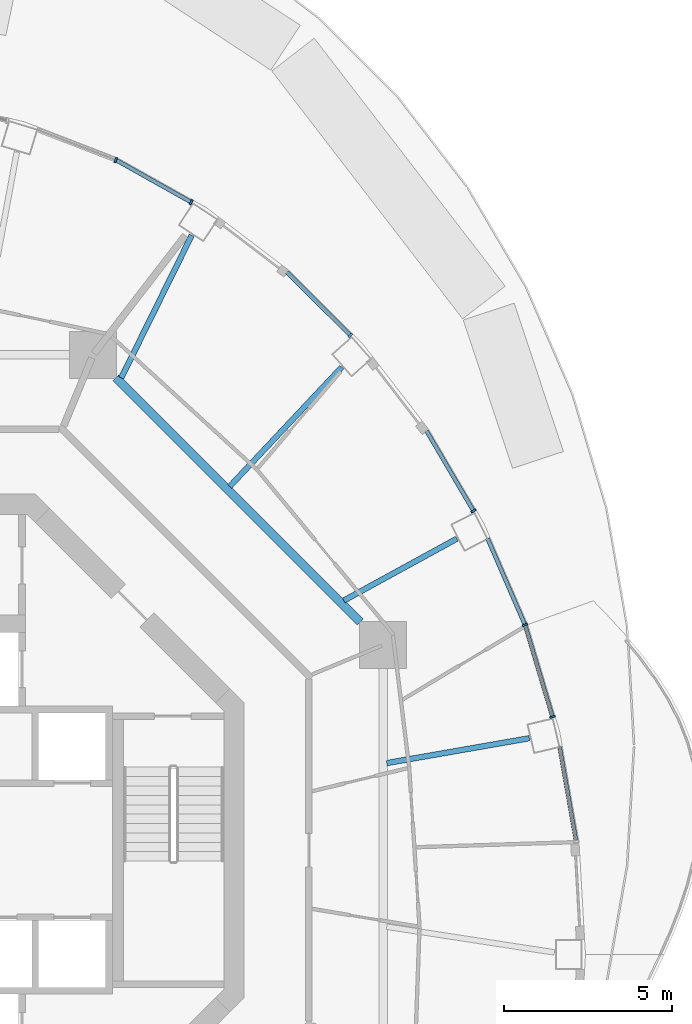
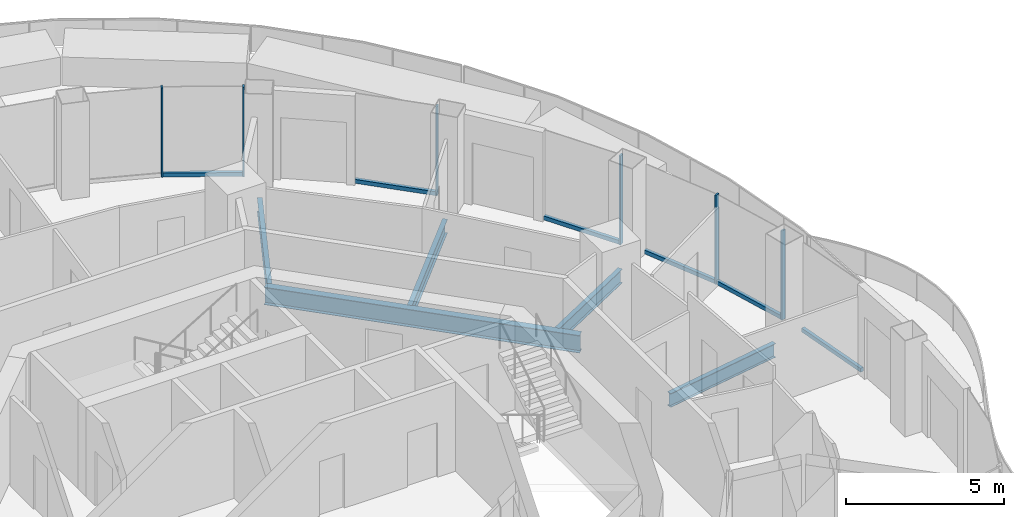
# One storey, part 7 of 17: 12 members, 5 beams, 7 elements without a shape of their own.
"""IFC4 building model written with IfcOpenShell, lengths in metres."""

import ifcopenshell
import ifcopenshell.guid

model = None  # the IFC model being written
_history = None  # IfcOwnerHistory: only IFC2X3 demands one
_inside = {}  # id of a spatial element -> (the spatial element, [elements in it])
_under = {}  # id of a project, library or spatial element -> (it, [spatial elements below it])
_declared = {}  # id of a project -> (the project, [libraries it declares])
_typed = {}  # id of a type object -> (the type object, [elements of that type])
_made_of = {}  # id of a material, layer set ... -> (it, [elements and type objects made of it])


def new_model(schema):
    """Start an empty IFC model of exactly this schema.

    Asked for "IFC4X3", IfcOpenShell would pick the latest addendum, in which some entities
    have other attributes; the version numbers below select the first issue.
    IFC2X3 requires an IfcOwnerHistory on every rooted entity: one is made here for all.
    """
    global model, _history
    if schema == "IFC4X3":
        model = ifcopenshell.file(schema_version=(4, 3, 0, 0))
    else:
        model = ifcopenshell.file(schema=schema)
    _inside.clear()
    _under.clear()
    _declared.clear()
    _typed.clear()
    _made_of.clear()
    _history = None
    if model.schema == "IFC2X3":
        org = make("IfcOrganization", Name="unknown")
        user = make(
            "IfcPersonAndOrganization",
            ThePerson=make("IfcPerson", FamilyName="unknown"),
            TheOrganization=org,
        )
        app = make(
            "IfcApplication",
            ApplicationDeveloper=org,
            Version="unknown",
            ApplicationFullName="unknown",
            ApplicationIdentifier="unknown",
        )
        _history = make(
            "IfcOwnerHistory",
            OwningUser=user,
            OwningApplication=app,
            ChangeAction="ADDED",
            CreationDate=0,
        )
    return model


def make(cls, **values):
    """One entity of the class cls with the attributes given. An attribute that is None is left unset."""
    return model.create_entity(
        cls, **{name: value for name, value in values.items() if value is not None}
    )


def rooted(cls, **values):
    """An entity with a GlobalId (a new one), such as an element, a storey or a relation."""
    return make(cls, GlobalId=ifcopenshell.guid.new(), OwnerHistory=_history, **values)


def si_unit(unit_type, name, prefix=None):
    """IfcSIUnit, for example si_unit("LENGTHUNIT", "METRE", prefix="MILLI")."""
    return make("IfcSIUnit", UnitType=unit_type, Prefix=prefix, Name=name)


def assignment(units):
    """IfcUnitAssignment: the units of a project."""
    return None if units is None else make("IfcUnitAssignment", Units=units)


def point(xyz):
    """IfcCartesianPoint."""
    return None if xyz is None else make("IfcCartesianPoint", Coordinates=xyz)


def direction(xyz):
    """IfcDirection."""
    return None if xyz is None else make("IfcDirection", DirectionRatios=xyz)


def frame(location, z_axis=None, x_axis=None):
    """IfcAxis2Placement3D, a coordinate frame: its origin and axes. An axis left out is left unset."""
    return make(
        "IfcAxis2Placement3D",
        Location=point(location),
        Axis=direction(z_axis),
        RefDirection=direction(x_axis),
    )


def frame_2d(location, x_axis=None):
    """IfcAxis2Placement2D, a coordinate frame in the plane: its origin and x axis."""
    return make(
        "IfcAxis2Placement2D", Location=point(location), RefDirection=direction(x_axis)
    )


def origin():
    """The frame at (0, 0, 0) with its axes left unset."""
    return frame((0.0, 0.0, 0.0))


def origin_2d():
    """The frame at (0, 0) in the plane with its x axis left unset."""
    return frame_2d((0.0, 0.0))


def place(relative_to, where):
    """IfcLocalPlacement: puts the frame where relative to a parent placement (None: the world)."""
    return make(
        "IfcLocalPlacement", PlacementRelTo=relative_to, RelativePlacement=where
    )


def context(
    kind, dimensions, precision=None, world=None, true_north=None, identifier=None
):
    """IfcGeometricRepresentationContext, for example the 3D "Model" context."""
    return make(
        "IfcGeometricRepresentationContext",
        ContextIdentifier=identifier,
        ContextType=kind,
        CoordinateSpaceDimension=dimensions,
        Precision=precision,
        WorldCoordinateSystem=world,
        TrueNorth=true_north,
    )


def subcontext(parent, identifier, kind, view, scale=None):
    """IfcGeometricRepresentationSubContext, for example "Body" below "Model"."""
    return make(
        "IfcGeometricRepresentationSubContext",
        ContextIdentifier=identifier,
        ContextType=kind,
        ParentContext=parent,
        TargetScale=scale,
        TargetView=view,
    )


def project(units=None, contexts=None):
    """IfcProject with its units and contexts."""
    return rooted(
        "IfcProject",
        Name="project",
        RepresentationContexts=contexts,
        UnitsInContext=assignment(units),
    )


def spatial(cls, under=None, at=None, **own):
    """A site, building, storey or space (cls), placed at a placement, below another one or the project."""
    s = rooted(cls, ObjectPlacement=at, **own)
    if under is not None:
        _under.setdefault(under.id(), (under, []))[1].append(s)
    return s


def profile(cls, at=None, kind="AREA", **sizes):
    """A parametric profile (cls). Its sizes go by their IFC names, for example OverallWidth=200.0."""
    return make(cls, ProfileType=kind, Position=at, **sizes)


def rectangle(**sizes):
    """IfcRectangleProfileDef."""
    return profile("IfcRectangleProfileDef", **sizes)


def i_section(**sizes):
    """IfcIShapeProfileDef."""
    return profile("IfcIShapeProfileDef", **sizes)


def extrude(swept, where, along, depth):
    """IfcExtrudedAreaSolid: the profile swept, set in the frame where, extruded along a direction by depth."""
    return make(
        "IfcExtrudedAreaSolid",
        SweptArea=swept,
        Position=where,
        ExtrudedDirection=direction(along),
        Depth=depth,
    )


def shape(context_of_items, identifier, shape_type, items):
    """IfcShapeRepresentation: the items that make up one representation, for example the "Body"."""
    return make(
        "IfcShapeRepresentation",
        ContextOfItems=context_of_items,
        RepresentationIdentifier=identifier,
        RepresentationType=shape_type,
        Items=items,
    )


def material(Name=None, Category=None):
    """IfcMaterial."""
    return make("IfcMaterial", Name=Name, Category=Category)


def layer(
    of_material, thickness, ventilated=None, Name=None, Category=None, Priority=None
):
    """IfcMaterialLayer: one layer of a wall or slab, of a material (None: an air gap)."""
    return make(
        "IfcMaterialLayer",
        Material=of_material,
        LayerThickness=thickness,
        IsVentilated=ventilated,
        Name=Name,
        Category=Category,
        Priority=Priority,
    )


def layer_set(layers, Name=None):
    """IfcMaterialLayerSet."""
    return make("IfcMaterialLayerSet", MaterialLayers=layers, LayerSetName=Name)


def material_profile(
    of_material, cross_section, Name=None, Category=None, Priority=None
):
    """IfcMaterialProfile: a cross section and its material."""
    return make(
        "IfcMaterialProfile",
        Name=Name,
        Material=of_material,
        Profile=cross_section,
        Priority=Priority,
        Category=Category,
    )


def profile_set(profiles, Name=None, composite=None):
    """IfcMaterialProfileSet."""
    return make(
        "IfcMaterialProfileSet",
        Name=Name,
        MaterialProfiles=profiles,
        CompositeProfile=composite,
    )


def made_of(thing, what):
    """Note that an element or type object is made of a material, layer set ...; save() writes the relation."""
    if what is not None:
        _made_of.setdefault(what.id(), (what, []))[1].append(thing)
    return thing


def type_object(cls, material=None, **own):
    """A type object (cls), such as IfcWallType, which elements share."""
    return made_of(rooted(cls, **own), material)


def element(
    cls,
    number,
    at=None,
    inside=None,
    cuts=None,
    type_object=None,
    material=None,
    context=None,
    identifier="Body",
    shape_type=None,
    held_by="IfcProductDefinitionShape",
    body=None,
    shapes=None,
    **own,
):
    """One element of the class cls, such as IfcWall. Its Tag is "e" and its number.

    at: its placement. inside: the storey or other place that contains it. cuts: it is an
    opening in that element (IfcRelVoidsElement). A single representation is given by context,
    identifier, shape_type and body (its items); several are given by shapes. held_by: the class
    of the entity that holds the representations. save() writes the other relations.
    """
    e = rooted(cls, Tag="e%d" % number, ObjectPlacement=at, **own)
    if body is not None:
        shapes = [shape(context, identifier, shape_type, body)]
    if shapes is not None:
        e.Representation = make(held_by, Representations=shapes)
    if inside is not None:
        _inside.setdefault(inside.id(), (inside, []))[1].append(e)
    if cuts is not None:
        rooted(
            "IfcRelVoidsElement", RelatingBuildingElement=cuts, RelatedOpeningElement=e
        )
    if type_object is not None:
        _typed.setdefault(type_object.id(), (type_object, []))[1].append(e)
    return made_of(e, material)


def aggregate(whole, parts):
    """IfcRelAggregates: a whole, such as a stair, and the parts it consists of."""
    return rooted("IfcRelAggregates", RelatingObject=whole, RelatedObjects=parts)


def save(model, path):
    """Write the relations noted so far, then the file.

    IfcRelAggregates (storeys below a building ...), IfcRelContainedInSpatialStructure (elements
    in a storey), IfcRelDefinesByType, IfcRelAssociatesMaterial and IfcRelDeclares: one each for
    every whole, place, type object, material and project.
    """
    for whole, parts in _under.values():
        aggregate(whole, parts)
    for where, things in _inside.values():
        rooted(
            "IfcRelContainedInSpatialStructure",
            RelatedElements=things,
            RelatingStructure=where,
        )
    for kind, things in _typed.values():
        rooted("IfcRelDefinesByType", RelatedObjects=things, RelatingType=kind)
    for what, things in _made_of.values():
        rooted("IfcRelAssociatesMaterial", RelatedObjects=things, RelatingMaterial=what)
    for by, libraries in _declared.values():
        rooted("IfcRelDeclares", RelatingContext=by, RelatedDefinitions=libraries)
    model.write(path)


model = new_model("IFC4")

# Units and contexts
model_context = context("Model", 3, precision=1e-05, world=origin(), true_north=direction((0.0, 1.0)))
body_context = subcontext(model_context, "Body", "Model", "MODEL_VIEW")
ifc_project = project(units=[si_unit("LENGTHUNIT", "METRE"), si_unit("AREAUNIT", "SQUARE_METRE"), si_unit("VOLUMEUNIT", "CUBIC_METRE"), si_unit("PLANEANGLEUNIT", "RADIAN"), si_unit("MASSUNIT", "GRAM", prefix="KILO")], contexts=[model_context])

# Site, building, storey
site_placement = place(None, origin())
site = spatial("IfcSite", under=ifc_project, at=site_placement, CompositionType="ELEMENT")
building_placement = place(site_placement, origin())
building = spatial("IfcBuilding", under=site, at=building_placement, Name="Nagisa Residences", CompositionType="ELEMENT")
storey_placement = place(building_placement, frame((0.0, 0.0, 258.5)))
storey = spatial("IfcBuildingStorey", under=building, at=storey_placement, Name="L65", CompositionType="ELEMENT", Elevation=258.5)

# Curtain wall, member
ifc_material_1 = material(Name="Concrete-coloured aluminium curtain wall system", Category="concrete")
ifc_layer = layer(ifc_material_1, 0.159912109375)
ifc_layer_set = layer_set([ifc_layer], Name="CW1 CURTAIN WALL")
curtain_wall_type = type_object("IfcCurtainWallType", Name="CW1 CURTAIN WALL", PredefinedType="NOTDEFINED", material=ifc_layer_set)
curtain_wall_1_placement = place(storey_placement, origin())
curtain_wall_1 = element("IfcCurtainWall", 1, at=curtain_wall_1_placement, inside=storey, type_object=curtain_wall_type, Name="cw:CW1:L65:02", PredefinedType="NOTDEFINED")
ifc_material_2 = material(Name="Concrete-coloured aluminium", Category="concrete")
ifc_material_profile_1 = material_profile(ifc_material_2, rectangle(XDim=0.159912109375, YDim=0.06005859375, at=origin_2d()), Name="CW1 MULLION 160x60")
ifc_profile_set_1 = profile_set([ifc_material_profile_1], Name="Concrete-coloured aluminium")
member_type_1 = type_object("IfcMemberType", Name="CW1 MULLION 160x60", PredefinedType="MULLION", material=ifc_profile_set_1)
member_1_placement = place(storey_placement, frame((19.83544921875, 3.9814453125, 0.0), z_axis=(0.0, 0.0, 1.0), x_axis=(-0.958271310082, -0.285860274038, 0.0)))
member_1 = element("IfcMember", 2, at=member_1_placement, type_object=member_type_1, Name="CW1 mullion", PredefinedType="MULLION", context=body_context, shape_type="SweptSolid", body=[
    extrude(rectangle(XDim=0.159912109375, YDim=0.06005859375, at=origin_2d()), origin(), (0.0, 0.0, 1.0), 3.43994140625),
])

curtain_wall_2_placement = place(storey_placement, origin())
curtain_wall_2 = element("IfcCurtainWall", 3, at=curtain_wall_2_placement, inside=storey, type_object=curtain_wall_type, Name="cw:CW1:L65:03", PredefinedType="NOTDEFINED")
member_2_placement = place(storey_placement, frame((19.012939453125, 6.728271484375, 0.0), z_axis=(0.0, 0.0, 1.0), x_axis=(-0.917543276295, -0.397635934147, 0.0)))
member_2 = element("IfcMember", 4, at=member_2_placement, type_object=member_type_1, Name="CW1 mullion", PredefinedType="MULLION", context=body_context, shape_type="SweptSolid", body=[
    extrude(rectangle(XDim=0.159912109375, YDim=0.06005859375, at=origin_2d()), origin(), (0.0, 0.0, 1.0), 3.43994140625),
])

curtain_wall_3_placement = place(storey_placement, origin())
curtain_wall_3 = element("IfcCurtainWall", 5, at=curtain_wall_3_placement, inside=storey, type_object=curtain_wall_type, Name="cw:CW1:L65:04", PredefinedType="NOTDEFINED")
member_3_placement = place(storey_placement, frame((17.4775390625, 10.125732421875, 0.0), z_axis=(0.0, 0.0, 1.0), x_axis=(-0.862328898214, -0.506348567002, 0.0)))
member_3 = element("IfcMember", 6, at=member_3_placement, type_object=member_type_1, Name="CW1 mullion", PredefinedType="MULLION", context=body_context, shape_type="SweptSolid", body=[
    extrude(rectangle(XDim=0.159912109375, YDim=0.06005859375, at=origin_2d()), origin(), (0.0, 0.0, 1.0), 3.43994140625),
])

curtain_wall_4_placement = place(storey_placement, origin())
curtain_wall_4 = element("IfcCurtainWall", 7, at=curtain_wall_4_placement, inside=storey, type_object=curtain_wall_type, Name="cw:CW1:L65:06", PredefinedType="NOTDEFINED")
member_4_placement = place(storey_placement, frame((13.798583984375, 15.36572265625, 0.0), z_axis=(0.0, 0.0, 1.0), x_axis=(-0.706376885714, -0.707835924016, 0.0)))
member_4 = element("IfcMember", 8, at=member_4_placement, type_object=member_type_1, Name="CW1 mullion", PredefinedType="MULLION", context=body_context, shape_type="SweptSolid", body=[
    extrude(rectangle(XDim=0.159912109375, YDim=0.06005859375, at=origin_2d()), origin(), (0.0, 0.0, 1.0), 3.43994140625),
])

curtain_wall_5_placement = place(storey_placement, origin())
curtain_wall_5 = element("IfcCurtainWall", 9, at=curtain_wall_5_placement, inside=storey, type_object=curtain_wall_type, Name="cw:CW1:L65:08", PredefinedType="NOTDEFINED")
member_5_placement = place(storey_placement, frame((9.05224609375, 19.3388671875, 0.0), z_axis=(0.0, 0.0, 1.0), x_axis=(-0.489376918501, -0.872072377523, 0.0)))
member_5 = element("IfcMember", 10, at=member_5_placement, type_object=member_type_1, Name="CW1 mullion", PredefinedType="MULLION", context=body_context, shape_type="SweptSolid", body=[
    extrude(rectangle(XDim=0.159912109375, YDim=0.06005859375, at=origin_2d()), origin(), (0.0, 0.0, 1.0), 3.43994140625),
])

curtain_wall_6_placement = place(storey_placement, origin())
curtain_wall_6 = element("IfcCurtainWall", 11, at=curtain_wall_6_placement, inside=storey, type_object=curtain_wall_type, Name="cw:CW1:L65:09", PredefinedType="NOTDEFINED")
member_6_placement = place(storey_placement, frame((6.799560546875, 20.59912109375, 0.0), z_axis=(0.0, 0.0, 1.0), x_axis=(-0.360327770268, -0.932825759707, 0.0)))
member_6 = element("IfcMember", 12, at=member_6_placement, type_object=member_type_1, Name="CW1 mullion", PredefinedType="MULLION", context=body_context, shape_type="SweptSolid", body=[
    extrude(rectangle(XDim=0.159912109375, YDim=0.06005859375, at=origin_2d()), origin(), (0.0, 0.0, 1.0), 3.43994140625),
])
aggregate(curtain_wall_6, [member_6])

curtain_wall_7_placement = place(storey_placement, origin())
curtain_wall_7 = element("IfcCurtainWall", 13, at=curtain_wall_7_placement, inside=storey, type_object=curtain_wall_type, Name="cw:CW1:L65:01", PredefinedType="NOTDEFINED")
ifc_material_3 = material(Name="Concrete-coloured aluminium", Category="concrete")
ifc_material_profile_2 = material_profile(ifc_material_3, rectangle(XDim=0.1201171875, YDim=0.14990234375, at=origin_2d()), Name="CW1 TRANSOM 120x150")
ifc_profile_set_2 = profile_set([ifc_material_profile_2], Name="Concrete-coloured aluminium")
member_type_2 = type_object("IfcMemberType", Name="CW1 TRANSOM 120x150", PredefinedType="USERDEFINED", material=ifc_profile_set_2)
member_7_placement = place(storey_placement, frame((20.547607421875, 0.228271484375, 0.074951171875), z_axis=(-0.172196679668, 0.985062588626, 0.0), x_axis=(-0.985062588626, -0.172196679668, 0.0)))
member_7 = element("IfcMember", 14, at=member_7_placement, type_object=member_type_2, Name="CW1 transom", ObjectType="TRANSOM", PredefinedType="USERDEFINED", context=body_context, shape_type="SweptSolid", body=[
    extrude(rectangle(XDim=0.1201171875, YDim=0.14990234375, at=origin_2d()), origin(), (0.0, 0.0, 1.0), 2.90234375),
])
aggregate(curtain_wall_7, [member_7])

# Member
member_8_placement = place(storey_placement, frame((19.843994140625, 3.95263671875, 0.074951171875), z_axis=(-0.285876209024, 0.9582665564, 0.0), x_axis=(-0.9582665564, -0.285876209024, 0.0)))
member_8 = element("IfcMember", 15, at=member_8_placement, type_object=member_type_2, Name="CW1 transom", ObjectType="TRANSOM", PredefinedType="USERDEFINED", context=body_context, shape_type="SweptSolid", body=[
    extrude(rectangle(XDim=0.1201171875, YDim=0.14990234375, at=origin_2d()), origin(), (0.0, 0.0, 1.0), 2.877197265625),
])

aggregate(curtain_wall_1, [member_1, member_8])

member_9_placement = place(storey_placement, frame((19.024658203125, 6.70068359375, 0.074951171875), z_axis=(-0.397597791596, 0.9175598052, 0.0), x_axis=(-0.9175598052, -0.397597791596, 0.0)))
member_9 = element("IfcMember", 16, at=member_9_placement, type_object=member_type_2, Name="CW1 transom", ObjectType="TRANSOM", PredefinedType="USERDEFINED", context=body_context, shape_type="SweptSolid", body=[
    extrude(rectangle(XDim=0.1201171875, YDim=0.14990234375, at=origin_2d()), origin(), (0.0, 0.0, 1.0), 2.841064453125),
])

aggregate(curtain_wall_2, [member_2, member_9])

member_10_placement = place(storey_placement, frame((17.49267578125, 10.099853515625, 0.074951171875), z_axis=(-0.506371364425, 0.862315511452, 0.0), x_axis=(-0.862315511452, -0.506371364425, 0.0)))
member_10 = element("IfcMember", 17, at=member_10_placement, type_object=member_type_2, Name="CW1 transom", ObjectType="TRANSOM", PredefinedType="USERDEFINED", context=body_context, shape_type="SweptSolid", body=[
    extrude(rectangle(XDim=0.1201171875, YDim=0.14990234375, at=origin_2d()), origin(), (0.0, 0.0, 1.0), 2.79638671875),
])

aggregate(curtain_wall_3, [member_3, member_10])

member_11_placement = place(storey_placement, frame((13.81982421875, 15.344482421875, 0.074951171875), z_axis=(-0.707876975297, 0.706335747251, 0.0), x_axis=(-0.706335747251, -0.707876975297, 0.0)))
member_11 = element("IfcMember", 18, at=member_11_placement, type_object=member_type_2, Name="CW1 transom", ObjectType="TRANSOM", PredefinedType="USERDEFINED", context=body_context, shape_type="SweptSolid", body=[
    extrude(rectangle(XDim=0.1201171875, YDim=0.14990234375, at=origin_2d()), origin(), (0.0, 0.0, 1.0), 2.69287109375),
])

aggregate(curtain_wall_4, [member_4, member_11])

member_12_placement = place(storey_placement, frame((9.078369140625, 19.32421875, 0.074951171875), z_axis=(-0.872052877201, 0.489411666561, 0.0), x_axis=(-0.489411666561, -0.872052877201, 0.0)))
member_12 = element("IfcMember", 19, at=member_12_placement, type_object=member_type_2, Name="CW1 transom", ObjectType="TRANSOM", PredefinedType="USERDEFINED", context=body_context, shape_type="SweptSolid", body=[
    extrude(rectangle(XDim=0.1201171875, YDim=0.14990234375, at=origin_2d()), origin(), (0.0, 0.0, 1.0), 2.593017578125),
])

aggregate(curtain_wall_5, [member_5, member_12])

# Beams
ifc_material_4 = material(Name="Steel ASTM A572 Gr 50", Category="steel")
ifc_material_profile_3 = material_profile(ifc_material_4, i_section(OverallWidth=0.2529296875, OverallDepth=0.677978515625, WebThickness=0.01171875, FlangeThickness=0.016357421875, at=origin_2d()), Name="W690x125")
ifc_profile_set_3 = profile_set([ifc_material_profile_3], Name="Steel ASTM A572 Gr 50")
beam_type_1 = type_object("IfcBeamType", Name="Inner ring beam W690x125", PredefinedType="BEAM", material=ifc_profile_set_3)
beam_1_placement = place(storey_placement, frame((14.09619140625, 6.808837890625, -0.59912109375), z_axis=(-0.707106781187, 0.707106781187, 0.0), x_axis=(-0.707106781187, -0.707106781187, 0.0)))
element("IfcBeam", 20, at=beam_1_placement, inside=storey, type_object=beam_type_1, Name="beam:L65:ib1", PredefinedType="BEAM", context=body_context, shape_type="SweptSolid", body=[
    extrude(i_section(OverallWidth=0.2529296875, OverallDepth=0.677978515625, WebThickness=0.01171875, FlangeThickness=0.016357421875, at=origin_2d()), origin(), (0.0, 0.0, 1.0), 10.305908203125),
])
ifc_material_5 = material(Name="Steel ASTM A572 Gr 50", Category="steel")
ifc_material_profile_4 = material_profile(ifc_material_5, i_section(OverallWidth=0.166015625, OverallDepth=0.534912109375, WebThickness=0.01025390625, FlangeThickness=0.0166015625, at=origin_2d()), Name="W530x85")
ifc_profile_set_4 = profile_set([ifc_material_profile_4], Name="Steel ASTM A572 Gr 50")
beam_type_2 = type_object("IfcBeamType", Name="Radial beam W530x85", PredefinedType="BEAM", material=ifc_profile_set_4)
beam_2_placement = place(storey_placement, frame((19.141845703125, 3.3408203125, -0.527587890625), z_axis=(-0.985111976206, -0.17191391548, 0.0), x_axis=(0.17191391548, -0.985111976206, 0.0)))
element("IfcBeam", 21, at=beam_2_placement, inside=storey, type_object=beam_type_2, Name="beam:L65:rb02", PredefinedType="BEAM", context=body_context, shape_type="SweptSolid", body=[
    extrude(i_section(OverallWidth=0.166015625, OverallDepth=0.534912109375, WebThickness=0.01025390625, FlangeThickness=0.0166015625, at=origin_2d()), origin(), (0.0, 0.0, 1.0), 4.317138671875),
])
beam_3_placement = place(storey_placement, frame((16.97900390625, 9.295654296875, -0.527587890625), z_axis=(-0.87715423315, -0.480208758008, 0.0), x_axis=(0.480208758008, -0.87715423315, 0.0)))
element("IfcBeam", 22, at=beam_3_placement, inside=storey, type_object=beam_type_2, Name="beam:L65:rb03", PredefinedType="BEAM", context=body_context, shape_type="SweptSolid", body=[
    extrude(i_section(OverallWidth=0.166015625, OverallDepth=0.534912109375, WebThickness=0.01025390625, FlangeThickness=0.0166015625, at=origin_2d()), origin(), (0.0, 0.0, 1.0), 3.843994140625),
])
beam_4_placement = place(storey_placement, frame((13.54541015625, 14.414794921875, -0.527587890625), z_axis=(-0.684798553039, -0.728732421233, 0.0), x_axis=(0.728732421233, -0.684798553039, 0.0)))
element("IfcBeam", 23, at=beam_4_placement, inside=storey, type_object=beam_type_2, Name="beam:L65:rb04", PredefinedType="BEAM", context=body_context, shape_type="SweptSolid", body=[
    extrude(i_section(OverallWidth=0.166015625, OverallDepth=0.534912109375, WebThickness=0.01025390625, FlangeThickness=0.0166015625, at=origin_2d()), origin(), (0.0, 0.0, 1.0), 4.884521484375),
])
beam_5_placement = place(storey_placement, frame((9.068115234375, 18.352294921875, -0.527587890625), z_axis=(-0.443014941902, -0.896514228137, 0.0), x_axis=(0.896514228137, -0.443014941902, 0.0)))
element("IfcBeam", 24, at=beam_5_placement, inside=storey, type_object=beam_type_2, Name="beam:L65:rb05", PredefinedType="BEAM", context=body_context, shape_type="SweptSolid", body=[
    extrude(i_section(OverallWidth=0.166015625, OverallDepth=0.534912109375, WebThickness=0.01025390625, FlangeThickness=0.0166015625, at=origin_2d()), origin(), (0.0, 0.0, 1.0), 4.75048828125),
])

save(model, "model.ifc")
